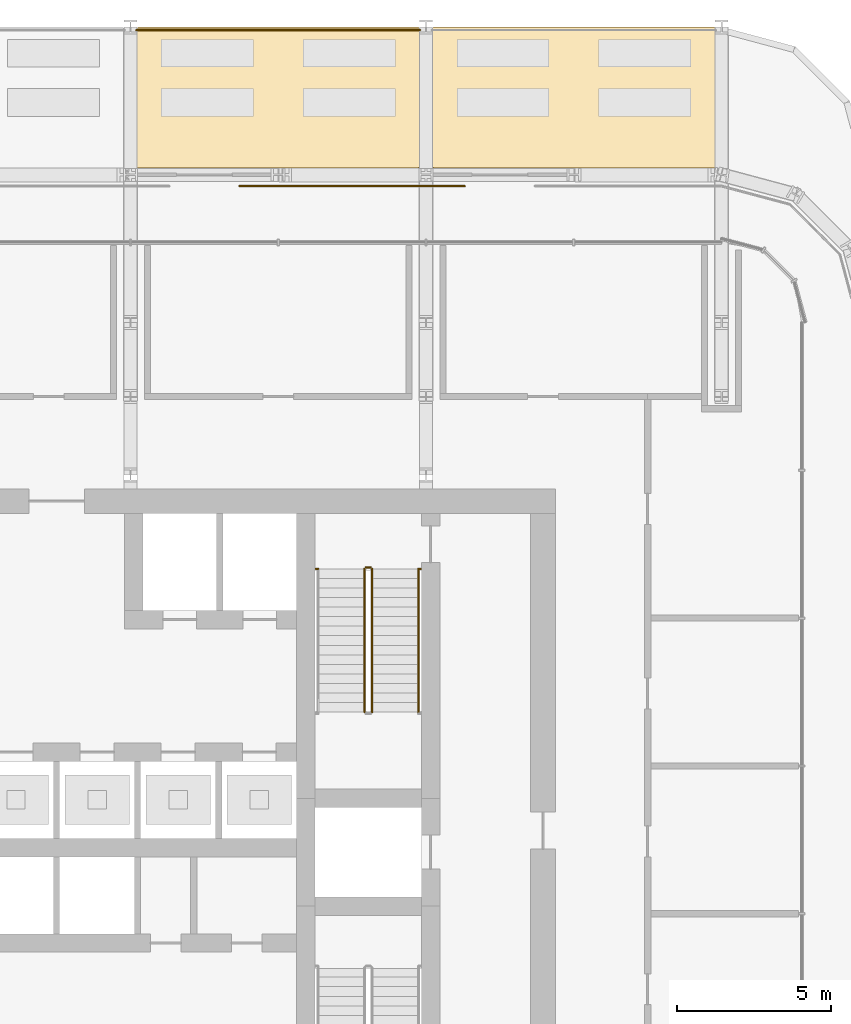
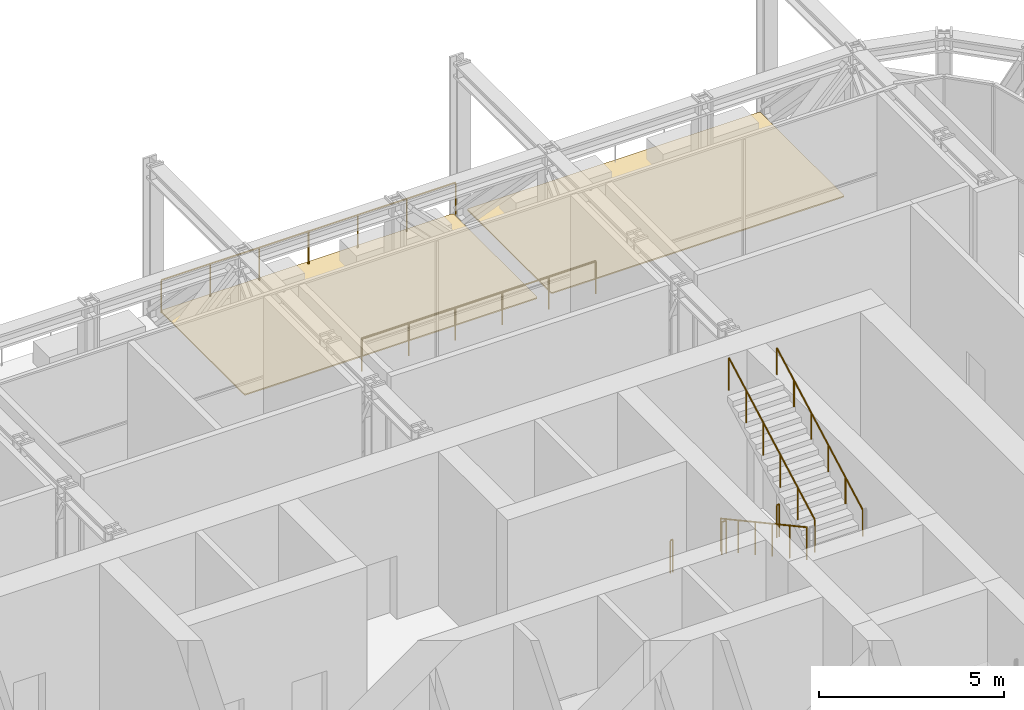
# One storey, part 25 of 27: 8 railings, 2 coverings.
"""IFC4 building model written with IfcOpenShell, lengths in metres."""

import ifcopenshell
import ifcopenshell.guid

model = None  # the IFC model being written
_history = None  # IfcOwnerHistory: only IFC2X3 demands one
_inside = {}  # id of a spatial element -> (the spatial element, [elements in it])
_under = {}  # id of a project, library or spatial element -> (it, [spatial elements below it])
_declared = {}  # id of a project -> (the project, [libraries it declares])
_typed = {}  # id of a type object -> (the type object, [elements of that type])
_made_of = {}  # id of a material, layer set ... -> (it, [elements and type objects made of it])


def new_model(schema):
    """Start an empty IFC model of exactly this schema.

    Asked for "IFC4X3", IfcOpenShell would pick the latest addendum, in which some entities
    have other attributes; the version numbers below select the first issue.
    IFC2X3 requires an IfcOwnerHistory on every rooted entity: one is made here for all.
    """
    global model, _history
    if schema == "IFC4X3":
        model = ifcopenshell.file(schema_version=(4, 3, 0, 0))
    else:
        model = ifcopenshell.file(schema=schema)
    _inside.clear()
    _under.clear()
    _declared.clear()
    _typed.clear()
    _made_of.clear()
    _history = None
    if model.schema == "IFC2X3":
        org = make("IfcOrganization", Name="unknown")
        user = make(
            "IfcPersonAndOrganization",
            ThePerson=make("IfcPerson", FamilyName="unknown"),
            TheOrganization=org,
        )
        app = make(
            "IfcApplication",
            ApplicationDeveloper=org,
            Version="unknown",
            ApplicationFullName="unknown",
            ApplicationIdentifier="unknown",
        )
        _history = make(
            "IfcOwnerHistory",
            OwningUser=user,
            OwningApplication=app,
            ChangeAction="ADDED",
            CreationDate=0,
        )
    return model


def make(cls, **values):
    """One entity of the class cls with the attributes given. An attribute that is None is left unset."""
    return model.create_entity(
        cls, **{name: value for name, value in values.items() if value is not None}
    )


def rooted(cls, **values):
    """An entity with a GlobalId (a new one), such as an element, a storey or a relation."""
    return make(cls, GlobalId=ifcopenshell.guid.new(), OwnerHistory=_history, **values)


def si_unit(unit_type, name, prefix=None):
    """IfcSIUnit, for example si_unit("LENGTHUNIT", "METRE", prefix="MILLI")."""
    return make("IfcSIUnit", UnitType=unit_type, Prefix=prefix, Name=name)


def assignment(units):
    """IfcUnitAssignment: the units of a project."""
    return None if units is None else make("IfcUnitAssignment", Units=units)


def point(xyz):
    """IfcCartesianPoint."""
    return None if xyz is None else make("IfcCartesianPoint", Coordinates=xyz)


def direction(xyz):
    """IfcDirection."""
    return None if xyz is None else make("IfcDirection", DirectionRatios=xyz)


def frame(location, z_axis=None, x_axis=None):
    """IfcAxis2Placement3D, a coordinate frame: its origin and axes. An axis left out is left unset."""
    return make(
        "IfcAxis2Placement3D",
        Location=point(location),
        Axis=direction(z_axis),
        RefDirection=direction(x_axis),
    )


def frame_2d(location, x_axis=None):
    """IfcAxis2Placement2D, a coordinate frame in the plane: its origin and x axis."""
    return make(
        "IfcAxis2Placement2D", Location=point(location), RefDirection=direction(x_axis)
    )


def origin():
    """The frame at (0, 0, 0) with its axes left unset."""
    return frame((0.0, 0.0, 0.0))


def origin_2d():
    """The frame at (0, 0) in the plane with its x axis left unset."""
    return frame_2d((0.0, 0.0))


def place(relative_to, where):
    """IfcLocalPlacement: puts the frame where relative to a parent placement (None: the world)."""
    return make(
        "IfcLocalPlacement", PlacementRelTo=relative_to, RelativePlacement=where
    )


def context(
    kind, dimensions, precision=None, world=None, true_north=None, identifier=None
):
    """IfcGeometricRepresentationContext, for example the 3D "Model" context."""
    return make(
        "IfcGeometricRepresentationContext",
        ContextIdentifier=identifier,
        ContextType=kind,
        CoordinateSpaceDimension=dimensions,
        Precision=precision,
        WorldCoordinateSystem=world,
        TrueNorth=true_north,
    )


def subcontext(parent, identifier, kind, view, scale=None):
    """IfcGeometricRepresentationSubContext, for example "Body" below "Model"."""
    return make(
        "IfcGeometricRepresentationSubContext",
        ContextIdentifier=identifier,
        ContextType=kind,
        ParentContext=parent,
        TargetScale=scale,
        TargetView=view,
    )


def project(units=None, contexts=None):
    """IfcProject with its units and contexts."""
    return rooted(
        "IfcProject",
        Name="project",
        RepresentationContexts=contexts,
        UnitsInContext=assignment(units),
    )


def spatial(cls, under=None, at=None, **own):
    """A site, building, storey or space (cls), placed at a placement, below another one or the project."""
    s = rooted(cls, ObjectPlacement=at, **own)
    if under is not None:
        _under.setdefault(under.id(), (under, []))[1].append(s)
    return s


def polyline(points):
    """IfcPolyline through the points."""
    return make("IfcPolyline", Points=[point(p) for p in points])


def profile(cls, at=None, kind="AREA", **sizes):
    """A parametric profile (cls). Its sizes go by their IFC names, for example OverallWidth=200.0."""
    return make(cls, ProfileType=kind, Position=at, **sizes)


def circle(**sizes):
    """IfcCircleProfileDef."""
    return profile("IfcCircleProfileDef", **sizes)


def outline(outer, holes=None, kind="AREA"):
    """IfcArbitraryClosedProfileDef: a profile drawn as a closed curve; with holes, ...WithVoids."""
    if holes is None:
        return make("IfcArbitraryClosedProfileDef", ProfileType=kind, OuterCurve=outer)
    return make(
        "IfcArbitraryProfileDefWithVoids",
        ProfileType=kind,
        OuterCurve=outer,
        InnerCurves=holes,
    )


def extrude(swept, where, along, depth):
    """IfcExtrudedAreaSolid: the profile swept, set in the frame where, extruded along a direction by depth."""
    return make(
        "IfcExtrudedAreaSolid",
        SweptArea=swept,
        Position=where,
        ExtrudedDirection=direction(along),
        Depth=depth,
    )


def shape(context_of_items, identifier, shape_type, items):
    """IfcShapeRepresentation: the items that make up one representation, for example the "Body"."""
    return make(
        "IfcShapeRepresentation",
        ContextOfItems=context_of_items,
        RepresentationIdentifier=identifier,
        RepresentationType=shape_type,
        Items=items,
    )


def material(Name=None, Category=None):
    """IfcMaterial."""
    return make("IfcMaterial", Name=Name, Category=Category)


def layer(
    of_material, thickness, ventilated=None, Name=None, Category=None, Priority=None
):
    """IfcMaterialLayer: one layer of a wall or slab, of a material (None: an air gap)."""
    return make(
        "IfcMaterialLayer",
        Material=of_material,
        LayerThickness=thickness,
        IsVentilated=ventilated,
        Name=Name,
        Category=Category,
        Priority=Priority,
    )


def layer_set(layers, Name=None):
    """IfcMaterialLayerSet."""
    return make("IfcMaterialLayerSet", MaterialLayers=layers, LayerSetName=Name)


def made_of(thing, what):
    """Note that an element or type object is made of a material, layer set ...; save() writes the relation."""
    if what is not None:
        _made_of.setdefault(what.id(), (what, []))[1].append(thing)
    return thing


def type_object(cls, material=None, **own):
    """A type object (cls), such as IfcWallType, which elements share."""
    return made_of(rooted(cls, **own), material)


def element(
    cls,
    number,
    at=None,
    inside=None,
    cuts=None,
    type_object=None,
    material=None,
    context=None,
    identifier="Body",
    shape_type=None,
    held_by="IfcProductDefinitionShape",
    body=None,
    shapes=None,
    **own,
):
    """One element of the class cls, such as IfcWall. Its Tag is "e" and its number.

    at: its placement. inside: the storey or other place that contains it. cuts: it is an
    opening in that element (IfcRelVoidsElement). A single representation is given by context,
    identifier, shape_type and body (its items); several are given by shapes. held_by: the class
    of the entity that holds the representations. save() writes the other relations.
    """
    e = rooted(cls, Tag="e%d" % number, ObjectPlacement=at, **own)
    if body is not None:
        shapes = [shape(context, identifier, shape_type, body)]
    if shapes is not None:
        e.Representation = make(held_by, Representations=shapes)
    if inside is not None:
        _inside.setdefault(inside.id(), (inside, []))[1].append(e)
    if cuts is not None:
        rooted(
            "IfcRelVoidsElement", RelatingBuildingElement=cuts, RelatedOpeningElement=e
        )
    if type_object is not None:
        _typed.setdefault(type_object.id(), (type_object, []))[1].append(e)
    return made_of(e, material)


def aggregate(whole, parts):
    """IfcRelAggregates: a whole, such as a stair, and the parts it consists of."""
    return rooted("IfcRelAggregates", RelatingObject=whole, RelatedObjects=parts)


def save(model, path):
    """Write the relations noted so far, then the file.

    IfcRelAggregates (storeys below a building ...), IfcRelContainedInSpatialStructure (elements
    in a storey), IfcRelDefinesByType, IfcRelAssociatesMaterial and IfcRelDeclares: one each for
    every whole, place, type object, material and project.
    """
    for whole, parts in _under.values():
        aggregate(whole, parts)
    for where, things in _inside.values():
        rooted(
            "IfcRelContainedInSpatialStructure",
            RelatedElements=things,
            RelatingStructure=where,
        )
    for kind, things in _typed.values():
        rooted("IfcRelDefinesByType", RelatedObjects=things, RelatingType=kind)
    for what, things in _made_of.values():
        rooted("IfcRelAssociatesMaterial", RelatedObjects=things, RelatingMaterial=what)
    for by, libraries in _declared.values():
        rooted("IfcRelDeclares", RelatingContext=by, RelatedDefinitions=libraries)
    model.write(path)


model = new_model("IFC4")

# Units and contexts
model_context = context("Model", 3, precision=1e-05, world=origin(), true_north=direction((0.0, 1.0)))
body_context = subcontext(model_context, "Body", "Model", "MODEL_VIEW")
ifc_project = project(units=[si_unit("LENGTHUNIT", "METRE"), si_unit("AREAUNIT", "SQUARE_METRE"), si_unit("VOLUMEUNIT", "CUBIC_METRE"), si_unit("PLANEANGLEUNIT", "RADIAN"), si_unit("MASSUNIT", "GRAM", prefix="KILO")], contexts=[model_context])

# Site, building, storey
site_placement = place(None, origin())
site = spatial("IfcSite", under=ifc_project, at=site_placement, CompositionType="ELEMENT")
building_placement = place(site_placement, origin())
building = spatial("IfcBuilding", under=site, at=building_placement, Name="Madar Terraces", CompositionType="ELEMENT")
storey_placement = place(building_placement, frame((0.0, 0.0, 143.60009765625)))
storey = spatial("IfcBuildingStorey", under=building, at=storey_placement, Name="L37", CompositionType="ELEMENT", Elevation=143.60009765625)

# Railings
ifc_material_1 = material(Name="Glass, safety glazing, with stainless steel posts", Category="steel")
railing_type_1 = type_object("IfcRailingType", Name="Balcony glass guard 1100", PredefinedType="GUARDRAIL", material=ifc_material_1)
railing_1_placement = place(storey_placement, frame((44.4580078125, 47.634033203125, 0.0)))
element("IfcRailing", 1, at=railing_1_placement, inside=storey, type_object=railing_type_1, Name="Gallery guard", PredefinedType="GUARDRAIL", context=body_context, shape_type="SweptSolid", body=[
    extrude(circle(Radius=0.02392578125, at=origin_2d()), frame((0.0, 0.0, 1.076171875), z_axis=(-1.0, 0.0, 0.0), x_axis=(0.0, -1.0, 0.0)), (0.0, 0.0, 1.0), 7.31591796875),
    extrude(circle(Radius=0.02099609375, at=origin_2d()), origin(), (0.0, 0.0, 1.0), 1.052001953125),
    extrude(circle(Radius=0.02099609375, at=origin_2d()), frame((-1.463134765625, 0.0, 0.0)), (0.0, 0.0, 1.0), 1.052001953125),
    extrude(circle(Radius=0.02099609375, at=origin_2d()), frame((-2.92626953125, 0.0, 0.0)), (0.0, 0.0, 1.0), 1.052001953125),
    extrude(circle(Radius=0.02099609375, at=origin_2d()), frame((-4.3896484375, 0.0, 0.0)), (0.0, 0.0, 1.0), 1.052001953125),
    extrude(circle(Radius=0.02099609375, at=origin_2d()), frame((-5.852783203125, 0.0, 0.0)), (0.0, 0.0, 1.0), 1.052001953125),
    extrude(circle(Radius=0.02099609375, at=origin_2d()), frame((-7.31591796875, 0.0, 0.0)), (0.0, 0.0, 1.0), 1.052001953125),
])
railing_2_placement = place(storey_placement, frame((43.004150390625, 52.699951171875, 0.039794921875)))
element("IfcRailing", 2, at=railing_2_placement, inside=storey, type_object=railing_type_1, Name="Terrace guard", PredefinedType="GUARDRAIL", context=body_context, shape_type="SweptSolid", body=[
    extrude(circle(Radius=0.02392578125, at=origin_2d()), frame((0.0, 0.0, 1.076171875), z_axis=(-1.0, 0.0, 0.0), x_axis=(0.0, -1.0, 0.0)), (0.0, 0.0, 1.0), 9.208251953125),
    extrude(circle(Radius=0.02099609375, at=origin_2d()), origin(), (0.0, 0.0, 1.0), 1.052001953125),
    extrude(circle(Radius=0.02099609375, at=origin_2d()), frame((-1.53466796875, 0.0, 0.0)), (0.0, 0.0, 1.0), 1.052001953125),
    extrude(circle(Radius=0.02099609375, at=origin_2d()), frame((-3.0693359375, 0.0, 0.0)), (0.0, 0.0, 1.0), 1.052001953125),
    extrude(circle(Radius=0.02099609375, at=origin_2d()), frame((-4.60400390625, 0.0, 0.0)), (0.0, 0.0, 1.0), 1.052001953125),
    extrude(circle(Radius=0.02099609375, at=origin_2d()), frame((-6.138916015625, 0.0, 0.0)), (0.0, 0.0, 1.0), 1.052001953125),
    extrude(circle(Radius=0.02099609375, at=origin_2d()), frame((-7.673583984375, 0.0, 0.0)), (0.0, 0.0, 1.0), 1.052001953125),
    extrude(circle(Radius=0.02099609375, at=origin_2d()), frame((-9.208251953125, 0.0, 0.0)), (0.0, 0.0, 1.0), 1.052001953125),
])
ifc_material_2 = material(Name="Stainless steel railing", Category="steel")
railing_type_2 = type_object("IfcRailingType", Name="Stair guard 1100", PredefinedType="GUARDRAIL", material=ifc_material_2)
railing_3_placement = place(storey_placement, frame((41.199951171875, 35.199951171875, 0.168701171875)))
element("IfcRailing", 3, at=railing_3_placement, inside=storey, type_object=railing_type_2, Name="L37 ST2 stair guard 1", PredefinedType="GUARDRAIL", context=body_context, shape_type="SweptSolid", body=[
    extrude(circle(Radius=0.02392578125, at=origin_2d()), frame((0.0, 0.0, 1.076171875), z_axis=(0.0, -0.878297076953, 0.478115304728), x_axis=(1.0, 0.0, 0.0)), (0.0, 0.0, 1.0), 5.294189453125),
    extrude(circle(Radius=0.02099609375, at=origin_2d()), origin(), (0.0, 0.0, 1.0), 1.052001953125),
    extrude(circle(Radius=0.02099609375, at=origin_2d()), frame((0.0, -0.929931640625, 0.50634765625)), (0.0, 0.0, 1.0), 1.052001953125),
    extrude(circle(Radius=0.02099609375, at=origin_2d()), frame((0.0, -1.85986328125, 1.012451171875)), (0.0, 0.0, 1.0), 1.052001953125),
    extrude(circle(Radius=0.02099609375, at=origin_2d()), frame((0.0, -2.7900390625, 1.518798828125)), (0.0, 0.0, 1.0), 1.052001953125),
    extrude(circle(Radius=0.02099609375, at=origin_2d()), frame((0.0, -3.719970703125, 2.02490234375)), (0.0, 0.0, 1.0), 1.052001953125),
    extrude(circle(Radius=0.02099609375, at=origin_2d()), frame((0.0, -4.64990234375, 2.53125)), (0.0, 0.0, 1.0), 1.052001953125),
])
railing_4_placement = place(storey_placement, frame((41.449951171875, 30.550048828125, 2.86865234375)))
element("IfcRailing", 4, at=railing_4_placement, inside=storey, type_object=railing_type_2, Name="L37 ST2 stair guard 3", PredefinedType="GUARDRAIL", context=body_context, shape_type="SweptSolid", body=[
    extrude(circle(Radius=0.02392578125, at=origin_2d()), frame((0.0, 0.0, 1.076171875), z_axis=(0.0, 0.878297076953, 0.478115304728), x_axis=(-1.0, 0.0, 0.0)), (0.0, 0.0, 1.0), 5.294189453125),
    extrude(circle(Radius=0.02099609375, at=origin_2d()), origin(), (0.0, 0.0, 1.0), 1.052001953125),
    extrude(circle(Radius=0.02099609375, at=origin_2d()), frame((0.0, 0.929931640625, 0.50634765625)), (0.0, 0.0, 1.0), 1.052001953125),
    extrude(circle(Radius=0.02099609375, at=origin_2d()), frame((0.0, 1.85986328125, 1.012451171875)), (0.0, 0.0, 1.0), 1.052001953125),
    extrude(circle(Radius=0.02099609375, at=origin_2d()), frame((0.0, 2.7900390625, 1.518798828125)), (0.0, 0.0, 1.0), 1.052001953125),
    extrude(circle(Radius=0.02099609375, at=origin_2d()), frame((0.0, 3.719970703125, 2.02490234375)), (0.0, 0.0, 1.0), 1.052001953125),
    extrude(circle(Radius=0.02099609375, at=origin_2d()), frame((0.0, 4.64990234375, 2.53125)), (0.0, 0.0, 1.0), 1.052001953125),
])
railing_5_placement = place(storey_placement, frame((41.25, 35.25, 0.0)))
element("IfcRailing", 5, at=railing_5_placement, inside=storey, type_object=railing_type_2, Name="L37 ST2 stair guard 4", PredefinedType="GUARDRAIL", context=body_context, shape_type="SweptSolid", body=[
    extrude(circle(Radius=0.02392578125, at=origin_2d()), frame((0.0, 0.0, 1.076171875), z_axis=(1.0, 0.0, 0.0), x_axis=(0.0, 1.0, 0.0)), (0.0, 0.0, 1.0), 0.14990234375),
    extrude(circle(Radius=0.02099609375, at=origin_2d()), origin(), (0.0, 0.0, 1.0), 1.052001953125),
    extrude(circle(Radius=0.02099609375, at=origin_2d()), frame((0.14990234375, 0.0, 0.0)), (0.0, 0.0, 1.0), 1.052001953125),
])
railing_6_placement = place(storey_placement, frame((39.6201171875, 35.199951171875, 0.0)))
element("IfcRailing", 6, at=railing_6_placement, inside=storey, type_object=railing_type_2, Name="L37 stair guard floor 1", PredefinedType="GUARDRAIL", context=body_context, shape_type="SweptSolid", body=[
    extrude(circle(Radius=0.02392578125, at=origin_2d()), frame((0.0, 0.0, 1.076171875), z_axis=(1.0, 0.0, 0.0), x_axis=(0.0, 1.0, 0.0)), (0.0, 0.0, 1.0), 0.079833984375),
    extrude(circle(Radius=0.02099609375, at=origin_2d()), origin(), (0.0, 0.0, 1.0), 1.052001953125),
    extrude(circle(Radius=0.02099609375, at=origin_2d()), frame((0.079833984375, 0.0, 0.0)), (0.0, 0.0, 1.0), 1.052001953125),
])
railing_7_placement = place(storey_placement, frame((42.949951171875, 35.199951171875, 0.0)))
element("IfcRailing", 7, at=railing_7_placement, inside=storey, type_object=railing_type_2, Name="L37 stair guard floor 2", PredefinedType="GUARDRAIL", context=body_context, shape_type="SweptSolid", body=[
    extrude(circle(Radius=0.02392578125, at=origin_2d()), frame((0.0, 0.0, 1.076171875), z_axis=(1.0, 0.0, 0.0), x_axis=(0.0, 1.0, 0.0)), (0.0, 0.0, 1.0), 0.080078125),
    extrude(circle(Radius=0.02099609375, at=origin_2d()), origin(), (0.0, 0.0, 1.0), 1.052001953125),
    extrude(circle(Radius=0.02099609375, at=origin_2d()), frame((0.080078125, 0.0, 0.0)), (0.0, 0.0, 1.0), 1.052001953125),
])
ifc_material_3 = material(Name="Stainless steel railing", Category="steel")
railing_type_3 = type_object("IfcRailingType", Name="Stair handrail 900", PredefinedType="HANDRAIL", material=ifc_material_3)
railing_8_placement = place(storey_placement, frame((42.949951171875, 30.550048828125, 2.86865234375)))
element("IfcRailing", 8, at=railing_8_placement, inside=storey, type_object=railing_type_3, Name="L37 ST2 stair handrail 2", PredefinedType="HANDRAIL", context=body_context, shape_type="SweptSolid", body=[
    extrude(circle(Radius=0.02392578125, at=origin_2d()), frame((0.0, 0.0, 0.8759765625), z_axis=(0.0, 0.878297076953, 0.478115304728), x_axis=(-1.0, 0.0, 0.0)), (0.0, 0.0, 1.0), 5.294189453125),
    extrude(circle(Radius=0.02099609375, at=origin_2d()), origin(), (0.0, 0.0, 1.0), 0.851806640625),
    extrude(circle(Radius=0.02099609375, at=origin_2d()), frame((0.0, 0.929931640625, 0.50634765625)), (0.0, 0.0, 1.0), 0.851806640625),
    extrude(circle(Radius=0.02099609375, at=origin_2d()), frame((0.0, 1.85986328125, 1.012451171875)), (0.0, 0.0, 1.0), 0.851806640625),
    extrude(circle(Radius=0.02099609375, at=origin_2d()), frame((0.0, 2.7900390625, 1.518798828125)), (0.0, 0.0, 1.0), 0.851806640625),
    extrude(circle(Radius=0.02099609375, at=origin_2d()), frame((0.0, 3.719970703125, 2.02490234375)), (0.0, 0.0, 1.0), 0.851806640625),
    extrude(circle(Radius=0.02099609375, at=origin_2d()), frame((0.0, 4.64990234375, 2.53125)), (0.0, 0.0, 1.0), 0.851806640625),
])

# Coverings
ifc_material_4 = material(Name="Porcelain paving slabs on pedestals")
ifc_layer = layer(ifc_material_4, 0.0400390625)
ifc_layer_set = layer_set([ifc_layer], Name="Terrace paving 40")
covering_type = type_object("IfcCoveringType", Name="Terrace paving 40", PredefinedType="FLOORING", material=ifc_layer_set)
covering_1_placement = place(storey_placement, origin())
element("IfcCovering", 9, at=covering_1_placement, inside=storey, type_object=covering_type, Name="Terrace paving", PredefinedType="FLOORING", context=body_context, shape_type="SweptSolid", body=[
    extrude(outline(polyline([(42.948486328125, 52.7978515625), (42.953125, 52.796142578125), (42.957763671875, 52.794189453125), (42.9619140625, 52.79150390625), (42.9658203125, 52.788818359375), (42.969482421875, 52.785400390625), (42.972900390625, 52.78173828125), (42.9755859375, 52.77783203125), (42.978271484375, 52.773681640625), (42.980224609375, 52.76904296875), (42.98193359375, 52.764404296875), (42.983154296875, 52.759765625), (42.98388671875, 52.7548828125), (42.984130859375, 52.75), (42.984130859375, 48.265869140625), (42.98388671875, 48.260986328125), (42.983154296875, 48.256103515625), (42.98193359375, 48.25146484375), (42.980224609375, 48.246826171875), (42.978271484375, 48.2421875), (42.9755859375, 48.238037109375), (42.972900390625, 48.234130859375), (42.969482421875, 48.23046875), (42.9658203125, 48.227294921875), (42.9619140625, 48.224365234375), (42.957763671875, 48.2216796875), (42.953125, 48.2197265625), (42.948486328125, 48.218017578125), (42.94384765625, 48.216796875), (42.93896484375, 48.216064453125), (42.93408203125, 48.2158203125), (33.865966796875, 48.2158203125), (33.861083984375, 48.216064453125), (33.856201171875, 48.216796875), (33.851318359375, 48.218017578125), (33.8466796875, 48.2197265625), (33.84228515625, 48.2216796875), (33.838134765625, 48.224365234375), (33.834228515625, 48.227294921875), (33.83056640625, 48.23046875), (33.8271484375, 48.234130859375), (33.82421875, 48.238037109375), (33.82177734375, 48.2421875), (33.819580078125, 48.246826171875), (33.818115234375, 48.25146484375), (33.81689453125, 48.256103515625), (33.816162109375, 48.260986328125), (33.81591796875, 48.265869140625), (33.81591796875, 52.75), (33.816162109375, 52.7548828125), (33.81689453125, 52.759765625), (33.818115234375, 52.764404296875), (33.819580078125, 52.76904296875), (33.82177734375, 52.773681640625), (33.82421875, 52.77783203125), (33.8271484375, 52.78173828125), (33.83056640625, 52.785400390625), (33.834228515625, 52.788818359375), (33.838134765625, 52.79150390625), (33.84228515625, 52.794189453125), (33.8466796875, 52.796142578125), (33.851318359375, 52.7978515625), (33.856201171875, 52.799072265625), (33.861083984375, 52.7998046875), (33.865966796875, 52.800048828125), (42.93408203125, 52.800048828125), (42.93896484375, 52.7998046875), (42.94384765625, 52.799072265625), (42.948486328125, 52.7978515625)])), origin(), (0.0, 0.0, 1.0), 0.039794921875),
])
covering_2_placement = place(storey_placement, origin())
element("IfcCovering", 10, at=covering_2_placement, inside=storey, type_object=covering_type, Name="Terrace paving", PredefinedType="FLOORING", context=body_context, shape_type="SweptSolid", body=[
    extrude(outline(polyline([(52.548583984375, 52.7978515625), (52.55322265625, 52.796142578125), (52.5576171875, 52.794189453125), (52.56201171875, 52.79150390625), (52.56591796875, 52.788818359375), (52.569580078125, 52.785400390625), (52.57275390625, 52.78173828125), (52.57568359375, 52.77783203125), (52.578125, 52.773681640625), (52.580322265625, 52.76904296875), (52.581787109375, 52.764404296875), (52.5830078125, 52.759765625), (52.583984375, 52.7548828125), (52.583984375, 52.75), (52.583984375, 48.265869140625), (52.583984375, 48.260986328125), (52.5830078125, 48.256103515625), (52.581787109375, 48.25146484375), (52.580322265625, 48.246826171875), (52.578125, 48.2421875), (52.57568359375, 48.238037109375), (52.57275390625, 48.234130859375), (52.569580078125, 48.23046875), (52.56591796875, 48.227294921875), (52.56201171875, 48.224365234375), (52.5576171875, 48.2216796875), (52.55322265625, 48.2197265625), (52.548583984375, 48.218017578125), (52.5439453125, 48.216796875), (52.5390625, 48.216064453125), (52.5341796875, 48.2158203125), (43.4658203125, 48.2158203125), (43.4609375, 48.216064453125), (43.4560546875, 48.216796875), (43.451416015625, 48.218017578125), (43.44677734375, 48.2197265625), (43.4423828125, 48.2216796875), (43.43798828125, 48.224365234375), (43.43408203125, 48.227294921875), (43.430419921875, 48.23046875), (43.42724609375, 48.234130859375), (43.42431640625, 48.238037109375), (43.421875, 48.2421875), (43.419677734375, 48.246826171875), (43.418212890625, 48.25146484375), (43.4169921875, 48.256103515625), (43.416015625, 48.260986328125), (43.416015625, 48.265869140625), (43.416015625, 52.75), (43.416015625, 52.7548828125), (43.4169921875, 52.759765625), (43.418212890625, 52.764404296875), (43.419677734375, 52.76904296875), (43.421875, 52.773681640625), (43.42431640625, 52.77783203125), (43.42724609375, 52.78173828125), (43.430419921875, 52.785400390625), (43.43408203125, 52.788818359375), (43.43798828125, 52.79150390625), (43.4423828125, 52.794189453125), (43.44677734375, 52.796142578125), (43.451416015625, 52.7978515625), (43.4560546875, 52.799072265625), (43.4609375, 52.7998046875), (43.4658203125, 52.800048828125), (52.5341796875, 52.800048828125), (52.5390625, 52.7998046875), (52.5439453125, 52.799072265625), (52.548583984375, 52.7978515625)])), origin(), (0.0, 0.0, 1.0), 0.039794921875),
])

save(model, "model.ifc")
